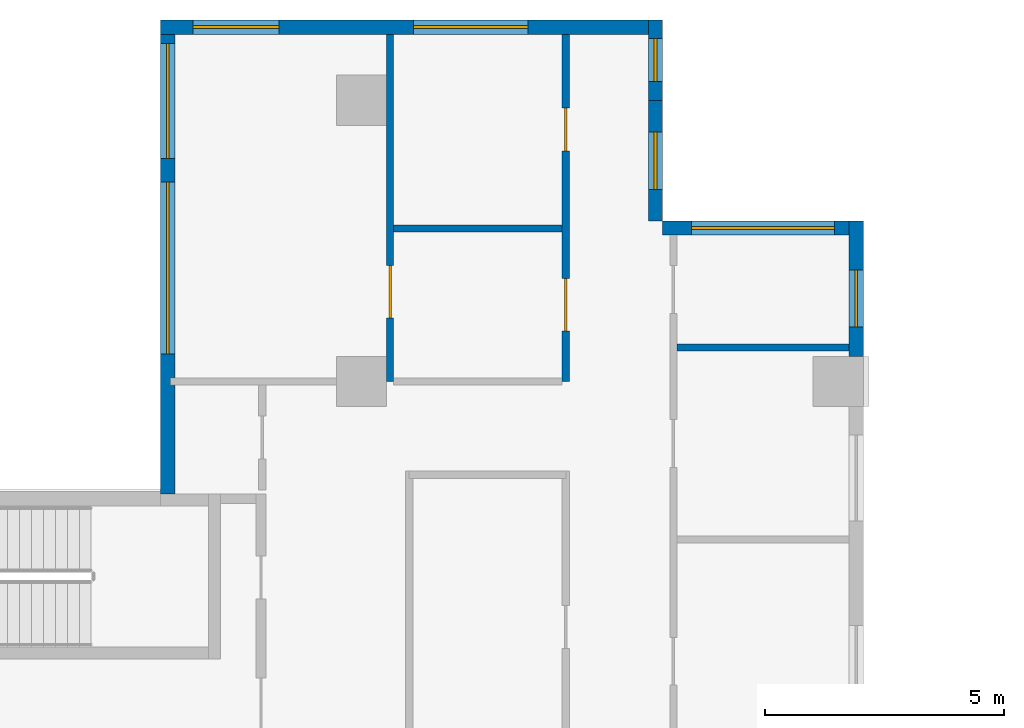
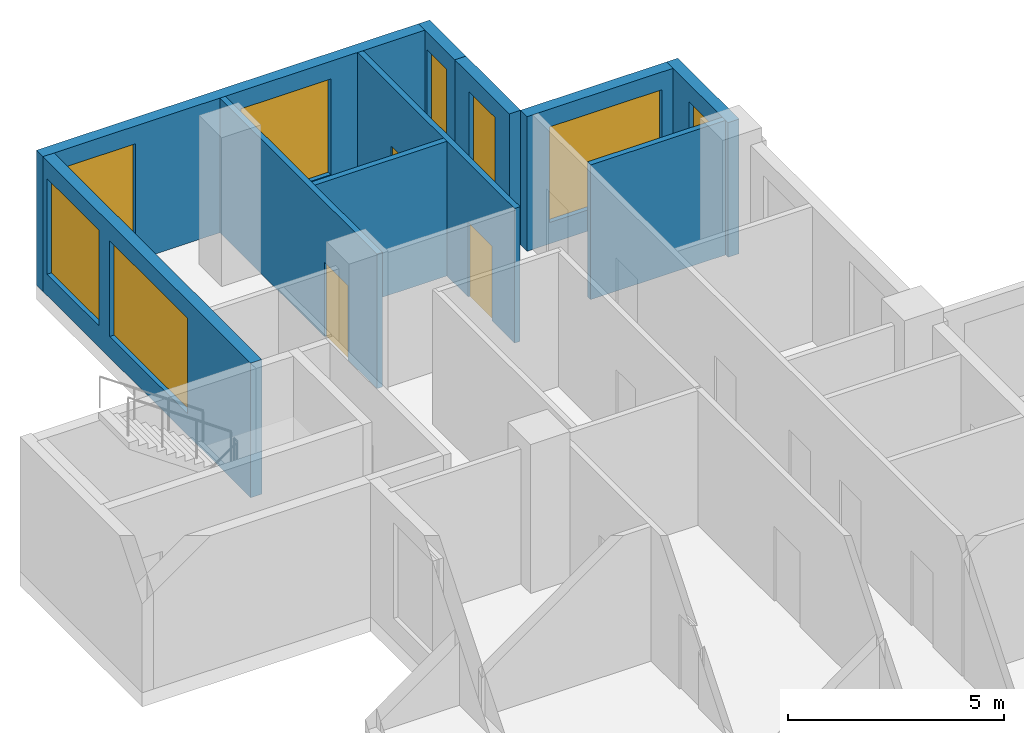
# One storey, part 8 of 15: 10 walls, 8 windows, 3 doors, 11 openings.
"""IFC4 building model written with IfcOpenShell, lengths in metres."""

from ifc_helpers import new_model, si_unit, direction, frame, frame_2d, origin, place, context, subcontext, project, spatial, rectangle, extrude, source, transform, mapped, material, layer, layer_set, type_object, element, fill, save


model = new_model("IFC4")

# Units and contexts
model_context = context("Model", 3, precision=1e-05, world=origin(), true_north=direction((0.0, 1.0)))
body_context = subcontext(model_context, "Body", "Model", "MODEL_VIEW")
ifc_project = project(units=[si_unit("LENGTHUNIT", "METRE"), si_unit("AREAUNIT", "SQUARE_METRE"), si_unit("VOLUMEUNIT", "CUBIC_METRE"), si_unit("PLANEANGLEUNIT", "RADIAN"), si_unit("MASSUNIT", "GRAM", prefix="KILO")], contexts=[model_context])

# Site, building, storey
site_placement = place(None, origin())
site = spatial("IfcSite", under=ifc_project, at=site_placement, CompositionType="ELEMENT")
building_placement = place(site_placement, origin())
building = spatial("IfcBuilding", under=site, at=building_placement, Name="Aurelian Terraces", CompositionType="ELEMENT")
storey_placement = place(building_placement, frame((0.0, 0.0, 107.7)))
storey = spatial("IfcBuildingStorey", under=building, at=storey_placement, Name="L23", CompositionType="ELEMENT", Elevation=107.7)

# Wall, opening, window
ifc_material_1 = material(Name="Terracotta rainscreen cladding", Category="masonry")
ifc_layer_1 = layer(ifc_material_1, 0.3)
ifc_layer_set_1 = layer_set([ifc_layer_1], Name="EW-300")
wall_type_1 = type_object("IfcWallType", Name="EW-300", PredefinedType="STANDARD", material=ifc_layer_set_1)
shared_shape_1 = source(origin(), body_context, "Body", "SweptSolid", [
    extrude(rectangle(XDim=4.2, YDim=0.3, at=frame_2d((2.1, 0.0))), origin(), (0.0, 0.0, 1.0), 3.8),
])
wall_1_placement = place(storey_placement, frame((21.0, 49.41, 0.0), z_axis=(0.0, 0.0, 1.0), x_axis=(-1.0, 0.0, 0.0)))
wall_1 = element("IfcWall", 1, at=wall_1_placement, inside=storey, type_object=wall_type_1, Name="External wall L23 F09.25", PredefinedType="STANDARD", context=body_context, shape_type="MappedRepresentation", body=[
    mapped(shared_shape_1, transform((0.0, 0.0, 0.0), scale=1.0)),
])
shared_shape_2 = source(origin(), body_context, "Body", "SweptSolid", [
    extrude(rectangle(XDim=3.0, YDim=2.7, at=frame_2d((1.5, 1.35))), frame((0.0, 0.16, 0.0), z_axis=(0.0, -1.0, 0.0), x_axis=(1.0, 0.0, 0.0)), (0.0, 0.0, 1.0), 0.32),
])
opening_1_placement = place(wall_1_placement, frame((0.6, 0.0, 0.6)))
opening_1 = element("IfcOpeningElement", 2, at=opening_1_placement, cuts=wall_1, Name="Opening W3027", PredefinedType="OPENING", context=body_context, shape_type="MappedRepresentation", body=[
    mapped(shared_shape_2, transform((0.0, 0.0, 0.0), scale=1.0)),
])
ifc_material_2 = material(Name="Clear glazing", Category="glass")
window_type_1 = type_object("IfcWindowType", Name="W-3000x2700", PartitioningType="SINGLE_PANEL", PredefinedType="WINDOW", material=ifc_material_2)
shared_shape_3 = source(origin(), body_context, "Body", "SweptSolid", [
    extrude(rectangle(XDim=3.0, YDim=2.7, at=frame_2d((1.5, 1.35))), frame((0.0, 0.03, 0.0), z_axis=(0.0, -1.0, 0.0), x_axis=(1.0, 0.0, 0.0)), (0.0, 0.0, 1.0), 0.06),
])
window_1_placement = place(opening_1_placement, origin())
window_1 = element("IfcWindow", 3, at=window_1_placement, inside=storey, type_object=window_type_1, Name="Window L23 L23-F09-25-0", OverallHeight=2.7, OverallWidth=3.0, PartitioningType="SINGLE_PANEL", PredefinedType="WINDOW", context=body_context, shape_type="MappedRepresentation", body=[
    mapped(shared_shape_3, transform((0.0, 0.0, 0.0), scale=1.0)),
])
fill(opening_1, window_1)

shared_shape_4 = source(origin(), body_context, "Body", "SweptSolid", [
    extrude(rectangle(XDim=2.52, YDim=0.3, at=frame_2d((1.26, 0.0))), origin(), (0.0, 0.0, 1.0), 3.8),
])
wall_2_placement = place(storey_placement, frame((16.65, 49.56, 0.0), z_axis=(0.0, 0.0, 1.0), x_axis=(0.0, 1.0, 0.0)))
wall_2 = element("IfcWall", 4, at=wall_2_placement, inside=storey, type_object=wall_type_1, Name="External wall L23 F10.26", PredefinedType="STANDARD", context=body_context, shape_type="MappedRepresentation", body=[
    mapped(shared_shape_4, transform((0.0, 0.0, 0.0), scale=1.0)),
])
shared_shape_5 = source(origin(), body_context, "Body", "SweptSolid", [
    extrude(rectangle(XDim=1.2, YDim=2.7, at=frame_2d((0.6, 1.35))), frame((0.0, 0.16, 0.0), z_axis=(0.0, -1.0, 0.0), x_axis=(1.0, 0.0, 0.0)), (0.0, 0.0, 1.0), 0.32),
])
opening_2_placement = place(wall_2_placement, frame((0.66, 0.0, 0.6)))
opening_2 = element("IfcOpeningElement", 5, at=opening_2_placement, cuts=wall_2, Name="Opening W1227", PredefinedType="OPENING", context=body_context, shape_type="MappedRepresentation", body=[
    mapped(shared_shape_5, transform((0.0, 0.0, 0.0), scale=1.0)),
])
window_type_2 = type_object("IfcWindowType", Name="W-1200x2700", PartitioningType="SINGLE_PANEL", PredefinedType="WINDOW", material=ifc_material_2)
shared_shape_6 = source(origin(), body_context, "Body", "SweptSolid", [
    extrude(rectangle(XDim=1.2, YDim=2.7, at=frame_2d((0.6, 1.35))), frame((0.0, 0.03, 0.0), z_axis=(0.0, -1.0, 0.0), x_axis=(1.0, 0.0, 0.0)), (0.0, 0.0, 1.0), 0.06),
])
window_2_placement = place(opening_2_placement, origin())
window_2 = element("IfcWindow", 6, at=window_2_placement, inside=storey, type_object=window_type_2, Name="Window L23 L23-F10-26-0", OverallHeight=2.7, OverallWidth=1.2, PartitioningType="SINGLE_PANEL", PredefinedType="WINDOW", context=body_context, shape_type="MappedRepresentation", body=[
    mapped(shared_shape_6, transform((0.0, 0.0, 0.0), scale=1.0)),
])
fill(opening_2, window_2)

shared_shape_7 = source(origin(), body_context, "Body", "SweptSolid", [
    extrude(rectangle(XDim=1.68, YDim=0.3, at=frame_2d((0.84, 0.0))), origin(), (0.0, 0.0, 1.0), 3.8),
])
wall_3_placement = place(storey_placement, frame((16.65, 52.08, 0.0), z_axis=(0.0, 0.0, 1.0), x_axis=(0.0, 1.0, 0.0)))
wall_3 = element("IfcWall", 7, at=wall_3_placement, inside=storey, type_object=wall_type_1, Name="External wall L23 F10.27", PredefinedType="STANDARD", context=body_context, shape_type="MappedRepresentation", body=[
    mapped(shared_shape_7, transform((0.0, 0.0, 0.0), scale=1.0)),
])
shared_shape_8 = source(origin(), body_context, "Body", "SweptSolid", [
    extrude(rectangle(XDim=0.9, YDim=2.7, at=frame_2d((0.45, 1.35))), frame((0.0, 0.16, 0.0), z_axis=(0.0, -1.0, 0.0), x_axis=(1.0, 0.0, 0.0)), (0.0, 0.0, 1.0), 0.32),
])
opening_3_placement = place(wall_3_placement, frame((0.39, 0.0, 0.6)))
opening_3 = element("IfcOpeningElement", 8, at=opening_3_placement, cuts=wall_3, Name="Opening W0927", PredefinedType="OPENING", context=body_context, shape_type="MappedRepresentation", body=[
    mapped(shared_shape_8, transform((0.0, 0.0, 0.0), scale=1.0)),
])
window_type_3 = type_object("IfcWindowType", Name="W-900x2700", PartitioningType="SINGLE_PANEL", PredefinedType="WINDOW", material=ifc_material_2)
shared_shape_9 = source(origin(), body_context, "Body", "SweptSolid", [
    extrude(rectangle(XDim=0.9, YDim=2.7, at=frame_2d((0.45, 1.35))), frame((0.0, 0.03, 0.0), z_axis=(0.0, -1.0, 0.0), x_axis=(1.0, 0.0, 0.0)), (0.0, 0.0, 1.0), 0.06),
])
window_3_placement = place(opening_3_placement, origin())
window_3 = element("IfcWindow", 9, at=window_3_placement, inside=storey, type_object=window_type_3, Name="Window L23 L23-F10-27-P0", OverallHeight=2.7, OverallWidth=0.9, PartitioningType="SINGLE_PANEL", PredefinedType="WINDOW", context=body_context, shape_type="MappedRepresentation", body=[
    mapped(shared_shape_9, transform((0.0, 0.0, 0.0), scale=1.0)),
])
fill(opening_3, window_3)

shared_shape_10 = source(origin(), body_context, "Body", "SweptSolid", [
    extrude(rectangle(XDim=2.835, YDim=0.3, at=frame_2d((1.4175, 0.0))), origin(), (0.0, 0.0, 1.0), 3.8),
])
wall_4_placement = place(storey_placement, frame((20.85, 46.725, 0.0), z_axis=(0.0, 0.0, 1.0), x_axis=(0.0, 1.0, 0.0)))
wall_4 = element("IfcWall", 10, at=wall_4_placement, inside=storey, type_object=wall_type_1, Name="External wall L23 F08.24", PredefinedType="STANDARD", context=body_context, shape_type="MappedRepresentation", body=[
    mapped(shared_shape_10, transform((0.0, 0.0, 0.0), scale=1.0)),
])
opening_4_placement = place(wall_4_placement, frame((0.609, 0.0, 0.6)))
opening_4 = element("IfcOpeningElement", 11, at=opening_4_placement, cuts=wall_4, Name="Opening W1227", PredefinedType="OPENING", context=body_context, shape_type="MappedRepresentation", body=[
    mapped(shared_shape_5, transform((0.0, 0.0, 0.0), scale=1.0)),
])
window_4_placement = place(opening_4_placement, origin())
window_4 = element("IfcWindow", 12, at=window_4_placement, inside=storey, type_object=window_type_2, Name="Window L23 L23-F08-24-0", OverallHeight=2.7, OverallWidth=1.2, PartitioningType="SINGLE_PANEL", PredefinedType="WINDOW", context=body_context, shape_type="MappedRepresentation", body=[
    mapped(shared_shape_6, transform((0.0, 0.0, 0.0), scale=1.0)),
])
fill(opening_4, window_4)

# Wall, openings, windows
shared_shape_11 = source(origin(), body_context, "Body", "SweptSolid", [
    extrude(rectangle(XDim=10.5, YDim=0.3, at=frame_2d((5.25, 0.0))), origin(), (0.0, 0.0, 1.0), 3.8),
])
wall_5_placement = place(storey_placement, frame((16.8, 53.61, 0.0), z_axis=(0.0, 0.0, 1.0), x_axis=(-1.0, 0.0, 0.0)))
wall_5 = element("IfcWall", 13, at=wall_5_placement, inside=storey, type_object=wall_type_1, Name="External wall L23 F11.28", PredefinedType="STANDARD", context=body_context, shape_type="MappedRepresentation", body=[
    mapped(shared_shape_11, transform((0.0, 0.0, 0.0), scale=1.0)),
])
shared_shape_12 = source(origin(), body_context, "Body", "SweptSolid", [
    extrude(rectangle(XDim=1.8, YDim=2.7, at=frame_2d((0.9, 1.35))), frame((0.0, 0.16, 0.0), z_axis=(0.0, -1.0, 0.0), x_axis=(1.0, 0.0, 0.0)), (0.0, 0.0, 1.0), 0.32),
])
opening_5_placement = place(wall_5_placement, frame((8.025, 0.0, 0.6)))
opening_5 = element("IfcOpeningElement", 14, at=opening_5_placement, cuts=wall_5, Name="Opening W1827", PredefinedType="OPENING", context=body_context, shape_type="MappedRepresentation", body=[
    mapped(shared_shape_12, transform((0.0, 0.0, 0.0), scale=1.0)),
])
shared_shape_13 = source(origin(), body_context, "Body", "SweptSolid", [
    extrude(rectangle(XDim=2.4, YDim=2.7, at=frame_2d((1.2, 1.35))), frame((0.0, 0.16, 0.0), z_axis=(0.0, -1.0, 0.0), x_axis=(1.0, 0.0, 0.0)), (0.0, 0.0, 1.0), 0.32),
])
opening_6_placement = place(wall_5_placement, frame((2.8125, 0.0, 0.6)))
opening_6 = element("IfcOpeningElement", 15, at=opening_6_placement, cuts=wall_5, Name="Opening W2427", PredefinedType="OPENING", context=body_context, shape_type="MappedRepresentation", body=[
    mapped(shared_shape_13, transform((0.0, 0.0, 0.0), scale=1.0)),
])
window_type_4 = type_object("IfcWindowType", Name="W-2400x2700", PartitioningType="SINGLE_PANEL", PredefinedType="WINDOW", material=ifc_material_2)
shared_shape_14 = source(origin(), body_context, "Body", "SweptSolid", [
    extrude(rectangle(XDim=2.4, YDim=2.7, at=frame_2d((1.2, 1.35))), frame((0.0, 0.03, 0.0), z_axis=(0.0, -1.0, 0.0), x_axis=(1.0, 0.0, 0.0)), (0.0, 0.0, 1.0), 0.06),
])
window_5_placement = place(opening_6_placement, origin())
window_5 = element("IfcWindow", 16, at=window_5_placement, inside=storey, type_object=window_type_4, Name="Window L23 L23-F11-28-G0-0", OverallHeight=2.7, OverallWidth=2.4, PartitioningType="SINGLE_PANEL", PredefinedType="WINDOW", context=body_context, shape_type="MappedRepresentation", body=[
    mapped(shared_shape_14, transform((0.0, 0.0, 0.0), scale=1.0)),
])
fill(opening_6, window_5)
window_type_5 = type_object("IfcWindowType", Name="W-1800x2700", PartitioningType="SINGLE_PANEL", PredefinedType="WINDOW", material=ifc_material_2)
shared_shape_15 = source(origin(), body_context, "Body", "SweptSolid", [
    extrude(rectangle(XDim=1.8, YDim=2.7, at=frame_2d((0.9, 1.35))), frame((0.0, 0.03, 0.0), z_axis=(0.0, -1.0, 0.0), x_axis=(1.0, 0.0, 0.0)), (0.0, 0.0, 1.0), 0.06),
])
window_6_placement = place(opening_5_placement, origin())
window_6 = element("IfcWindow", 17, at=window_6_placement, inside=storey, type_object=window_type_5, Name="Window L23 L23-F11-28-2", OverallHeight=2.7, OverallWidth=1.8, PartitioningType="SINGLE_PANEL", PredefinedType="WINDOW", context=body_context, shape_type="MappedRepresentation", body=[
    mapped(shared_shape_15, transform((0.0, 0.0, 0.0), scale=1.0)),
])
fill(opening_5, window_6)

shared_shape_16 = source(origin(), body_context, "Body", "SweptSolid", [
    extrude(rectangle(XDim=9.91, YDim=0.3, at=frame_2d((4.955, 0.0))), origin(), (0.0, 0.0, 1.0), 3.8),
])
wall_6_placement = place(storey_placement, frame((6.45, 53.76, 0.0), z_axis=(0.0, 0.0, 1.0), x_axis=(0.0, -1.0, 0.0)))
wall_6 = element("IfcWall", 18, at=wall_6_placement, inside=storey, type_object=wall_type_1, Name="External wall L23 F12.29", PredefinedType="STANDARD", context=body_context, shape_type="MappedRepresentation", body=[
    mapped(shared_shape_16, transform((0.0, 0.0, 0.0), scale=1.0)),
])
shared_shape_17 = source(origin(), body_context, "Body", "SweptSolid", [
    extrude(rectangle(XDim=3.6, YDim=2.7, at=frame_2d((1.8, 1.35))), frame((0.0, 0.16, 0.0), z_axis=(0.0, -1.0, 0.0), x_axis=(1.0, 0.0, 0.0)), (0.0, 0.0, 1.0), 0.32),
])
opening_7_placement = place(wall_6_placement, frame((3.39, 0.0, 0.6)))
opening_7 = element("IfcOpeningElement", 19, at=opening_7_placement, cuts=wall_6, Name="Opening W3627", PredefinedType="OPENING", context=body_context, shape_type="MappedRepresentation", body=[
    mapped(shared_shape_17, transform((0.0, 0.0, 0.0), scale=1.0)),
])
opening_8_placement = place(wall_6_placement, frame((0.495, 0.0, 0.6)))
opening_8 = element("IfcOpeningElement", 20, at=opening_8_placement, cuts=wall_6, Name="Opening W2427", PredefinedType="OPENING", context=body_context, shape_type="MappedRepresentation", body=[
    mapped(shared_shape_13, transform((0.0, 0.0, 0.0), scale=1.0)),
])
window_type_6 = type_object("IfcWindowType", Name="W-3600x2700", PartitioningType="SINGLE_PANEL", PredefinedType="WINDOW", material=ifc_material_2)
shared_shape_18 = source(origin(), body_context, "Body", "SweptSolid", [
    extrude(rectangle(XDim=3.6, YDim=2.7, at=frame_2d((1.8, 1.35))), frame((0.0, 0.03, 0.0), z_axis=(0.0, -1.0, 0.0), x_axis=(1.0, 0.0, 0.0)), (0.0, 0.0, 1.0), 0.06),
])
window_7_placement = place(opening_7_placement, origin())
window_7 = element("IfcWindow", 21, at=window_7_placement, inside=storey, type_object=window_type_6, Name="Window L23 L23-F12-29-1", OverallHeight=2.7, OverallWidth=3.6, PartitioningType="SINGLE_PANEL", PredefinedType="WINDOW", context=body_context, shape_type="MappedRepresentation", body=[
    mapped(shared_shape_18, transform((0.0, 0.0, 0.0), scale=1.0)),
])
fill(opening_7, window_7)
window_8_placement = place(opening_8_placement, origin())
window_8 = element("IfcWindow", 22, at=window_8_placement, inside=storey, type_object=window_type_4, Name="Window L23 L23-F12-29-G0-0", OverallHeight=2.7, OverallWidth=2.4, PartitioningType="SINGLE_PANEL", PredefinedType="WINDOW", context=body_context, shape_type="MappedRepresentation", body=[
    mapped(shared_shape_14, transform((0.0, 0.0, 0.0), scale=1.0)),
])
fill(opening_8, window_8)

# Wall
ifc_material_3 = material(Name="Gypsum board on steel studs", Category="steel")
ifc_layer_2 = layer(ifc_material_3, 0.15)
ifc_layer_set_2 = layer_set([ifc_layer_2], Name="Partition 150")
wall_type_2 = type_object("IfcWallType", Name="Partition 150", PredefinedType="PARTITIONING", material=ifc_layer_set_2)
shared_shape_19 = source(origin(), body_context, "Body", "SweptSolid", [
    extrude(rectangle(XDim=3.6, YDim=0.15, at=frame_2d((1.8, 0.0))), origin(), (0.0, 0.0, 1.0), 3.8),
])
wall_7_placement = place(storey_placement, frame((17.1, 46.9126, 0.0), z_axis=(0.0, 0.0, 1.0), x_axis=(1.0, 0.0, 0.0)))
element("IfcWall", 23, at=wall_7_placement, inside=storey, type_object=wall_type_2, Name="Partition", PredefinedType="PARTITIONING", context=body_context, shape_type="MappedRepresentation", body=[
    mapped(shared_shape_19, transform((0.0, 0.0, 0.0), scale=1.0)),
])

# Wall, opening, door
shared_shape_20 = source(origin(), body_context, "Body", "SweptSolid", [
    extrude(rectangle(XDim=7.26, YDim=0.15, at=frame_2d((3.63, 0.0))), origin(), (0.0, 0.0, 1.0), 3.8),
])
wall_8_placement = place(storey_placement, frame((11.1, 46.2, 0.0), z_axis=(0.0, 0.0, 1.0), x_axis=(0.0, 1.0, 0.0)))
wall_8 = element("IfcWall", 24, at=wall_8_placement, inside=storey, type_object=wall_type_2, Name="Partition", PredefinedType="PARTITIONING", context=body_context, shape_type="MappedRepresentation", body=[
    mapped(shared_shape_20, transform((0.0, 0.0, 0.0), scale=1.0)),
])
shared_shape_21 = source(origin(), body_context, "Body", "SweptSolid", [
    extrude(rectangle(XDim=1.1, YDim=2.1, at=frame_2d((0.55, 1.05))), frame((0.0, 0.085, 0.0), z_axis=(0.0, -1.0, 0.0), x_axis=(1.0, 0.0, 0.0)), (0.0, 0.0, 1.0), 0.17),
])
opening_9_placement = place(wall_8_placement, frame((1.3258, 0.0, 0.0)))
opening_9 = element("IfcOpeningElement", 25, at=opening_9_placement, cuts=wall_8, Name="Opening 723040", PredefinedType="OPENING", context=body_context, shape_type="MappedRepresentation", body=[
    mapped(shared_shape_21, transform((0.0, 0.0, 0.0), scale=1.0)),
])
ifc_material_4 = material(Name="Timber door leaf", Category="wood")
door_type_1 = type_object("IfcDoorType", Name="Room door 1100x2100 right", OperationType="SINGLE_SWING_RIGHT", PredefinedType="DOOR", material=ifc_material_4)
shared_shape_22 = source(origin(), body_context, "Body", "SweptSolid", [
    extrude(rectangle(XDim=1.1, YDim=2.1, at=frame_2d((0.55, 1.05))), frame((0.0, 0.025, 0.0), z_axis=(0.0, -1.0, 0.0), x_axis=(1.0, 0.0, 0.0)), (0.0, 0.0, 1.0), 0.05),
])
door_1_placement = place(opening_9_placement, origin())
door_1 = element("IfcDoor", 26, at=door_1_placement, inside=storey, type_object=door_type_1, Name="Door 723040", OperationType="SINGLE_SWING_RIGHT", OverallHeight=2.1, OverallWidth=1.1, PredefinedType="DOOR", context=body_context, shape_type="MappedRepresentation", body=[
    mapped(shared_shape_22, transform((0.0, 0.0, 0.0), scale=1.0)),
])
fill(opening_9, door_1)

# Wall, openings, doors
ifc_layer_3 = layer(ifc_material_3, 0.15)
ifc_layer_set_3 = layer_set([ifc_layer_3], Name="Fire partition 150")
wall_type_3 = type_object("IfcWallType", Name="Fire partition 150", PredefinedType="PARTITIONING", material=ifc_layer_set_3)
wall_9_placement = place(storey_placement, frame((14.775, 46.2, 0.0), z_axis=(0.0, 0.0, 1.0), x_axis=(0.0, 1.0, 0.0)))
wall_9 = element("IfcWall", 27, at=wall_9_placement, inside=storey, type_object=wall_type_3, Name="Corridor wall", PredefinedType="PARTITIONING", context=body_context, shape_type="MappedRepresentation", body=[
    mapped(shared_shape_20, transform((0.0, 0.0, 0.0), scale=1.0)),
])
opening_10_placement = place(wall_9_placement, frame((1.0508, 0.0, 0.0)))
opening_10 = element("IfcOpeningElement", 28, at=opening_10_placement, cuts=wall_9, Name="Opening 723039", PredefinedType="OPENING", context=body_context, shape_type="MappedRepresentation", body=[
    mapped(shared_shape_21, transform((0.0, 0.0, 0.0), scale=1.0)),
])
shared_shape_23 = source(origin(), body_context, "Body", "SweptSolid", [
    extrude(rectangle(XDim=0.9, YDim=2.1, at=frame_2d((0.45, 1.05))), frame((0.0, 0.085, 0.0), z_axis=(0.0, -1.0, 0.0), x_axis=(1.0, 0.0, 0.0)), (0.0, 0.0, 1.0), 0.17),
])
opening_11_placement = place(wall_9_placement, frame((4.8183, 0.0, 0.0)))
opening_11 = element("IfcOpeningElement", 29, at=opening_11_placement, cuts=wall_9, Name="Opening 723041", PredefinedType="OPENING", context=body_context, shape_type="MappedRepresentation", body=[
    mapped(shared_shape_23, transform((0.0, 0.0, 0.0), scale=1.0)),
])
door_type_2 = type_object("IfcDoorType", Name="Room door 900x2100 left", OperationType="SINGLE_SWING_LEFT", PredefinedType="DOOR", material=ifc_material_4)
shared_shape_24 = source(origin(), body_context, "Body", "SweptSolid", [
    extrude(rectangle(XDim=0.9, YDim=2.1, at=frame_2d((0.45, 1.05))), frame((0.0, 0.025, 0.0), z_axis=(0.0, -1.0, 0.0), x_axis=(1.0, 0.0, 0.0)), (0.0, 0.0, 1.0), 0.05),
])
door_2_placement = place(opening_11_placement, origin())
door_2 = element("IfcDoor", 30, at=door_2_placement, inside=storey, type_object=door_type_2, Name="Door 723041", OperationType="SINGLE_SWING_LEFT", OverallHeight=2.1, OverallWidth=0.9, PredefinedType="DOOR", context=body_context, shape_type="MappedRepresentation", body=[
    mapped(shared_shape_24, transform((0.0, 0.0, 0.0), scale=1.0)),
])
fill(opening_11, door_2)
door_type_3 = type_object("IfcDoorType", Name="Room door 1100x2100 left", OperationType="SINGLE_SWING_LEFT", PredefinedType="DOOR", material=ifc_material_4)
door_3_placement = place(opening_10_placement, origin())
door_3 = element("IfcDoor", 31, at=door_3_placement, inside=storey, type_object=door_type_3, Name="Door 723039", OperationType="SINGLE_SWING_LEFT", OverallHeight=2.1, OverallWidth=1.1, PredefinedType="DOOR", context=body_context, shape_type="MappedRepresentation", body=[
    mapped(shared_shape_22, transform((0.0, 0.0, 0.0), scale=1.0)),
])
fill(opening_10, door_3)

# Wall
shared_shape_25 = source(origin(), body_context, "Body", "SweptSolid", [
    extrude(rectangle(XDim=3.525, YDim=0.15, at=frame_2d((1.7625, 0.0))), origin(), (0.0, 0.0, 1.0), 3.8),
])
wall_10_placement = place(storey_placement, frame((14.7, 49.4015, 0.0), z_axis=(0.0, 0.0, 1.0), x_axis=(-1.0, 0.0, 0.0)))
element("IfcWall", 32, at=wall_10_placement, inside=storey, type_object=wall_type_2, Name="Partition", PredefinedType="PARTITIONING", context=body_context, shape_type="MappedRepresentation", body=[
    mapped(shared_shape_25, transform((0.0, 0.0, 0.0), scale=1.0)),
])

save(model, "model.ifc")
